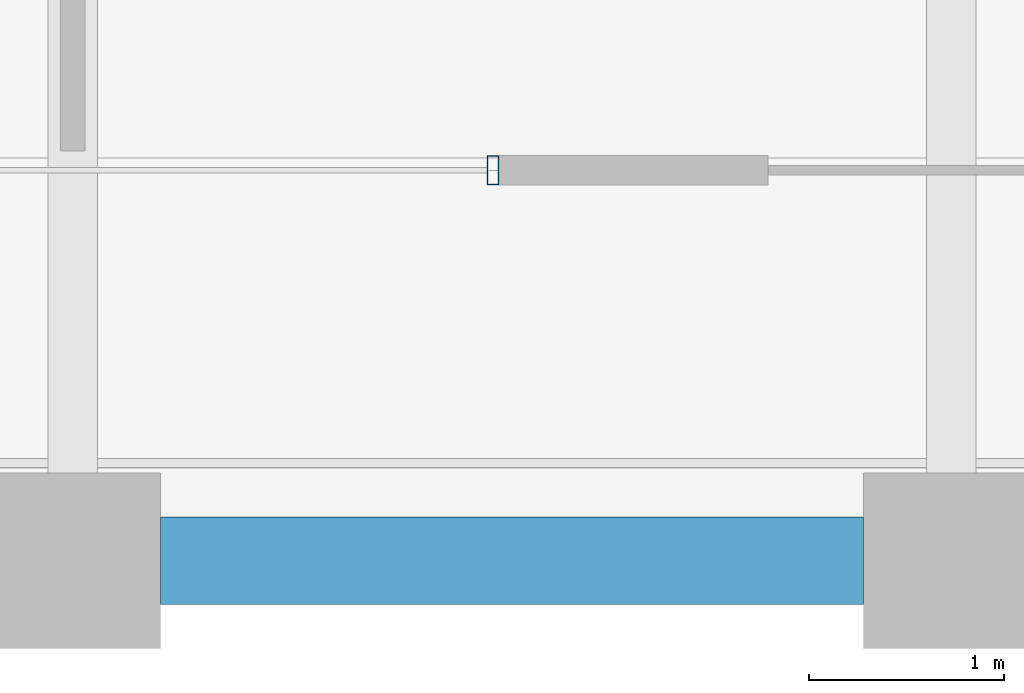
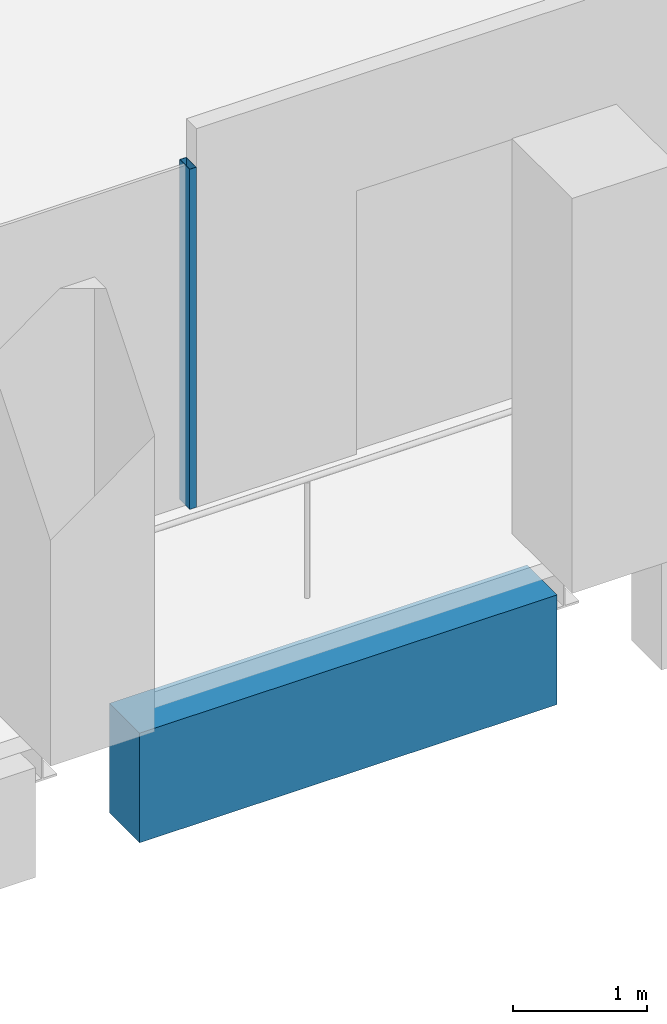
# One storey, part 7 of 40: 1 beam, 1 member, 1 element without a shape of its own.
"""IFC4 building model written with IfcOpenShell, lengths in metres."""

from ifc_helpers import new_model, si_unit, direction, frame, origin, origin_2d, place, context, subcontext, project, spatial, rectangle, hollow_rectangle, extrude, material, material_profile, profile_set, type_object, element, aggregate, save


model = new_model("IFC4")

# Units and contexts
model_context = context("Model", 3, precision=1e-05, world=origin(), true_north=direction((0.0, 1.0)))
body_context = subcontext(model_context, "Body", "Model", "MODEL_VIEW")
ifc_project = project(units=[si_unit("LENGTHUNIT", "METRE"), si_unit("AREAUNIT", "SQUARE_METRE"), si_unit("VOLUMEUNIT", "CUBIC_METRE"), si_unit("PLANEANGLEUNIT", "RADIAN"), si_unit("MASSUNIT", "GRAM", prefix="KILO")], contexts=[model_context])

# Site, building, storey
site_placement = place(None, origin())
site = spatial("IfcSite", under=ifc_project, at=site_placement, CompositionType="ELEMENT")
building_placement = place(site_placement, origin())
building = spatial("IfcBuilding", under=site, at=building_placement, Name="Altepetl Exchange Towers", CompositionType="ELEMENT")
storey_placement = place(building_placement, frame((0.0, 0.0, 165.39990234375)))
storey = spatial("IfcBuildingStorey", under=building, at=storey_placement, Name="L41", CompositionType="ELEMENT", Elevation=165.39990234375)

# Curtain wall, member
ifc_material_1 = material(Name="Aluminium 6063-T6 glazing", Category="aluminium")
curtain_wall_type = type_object("IfcCurtainWallType", Name="Loggia glazing system", PredefinedType="NOTDEFINED", material=ifc_material_1)
curtain_wall_placement = place(storey_placement, origin())
curtain_wall = element("IfcCurtainWall", 1, at=curtain_wall_placement, inside=storey, type_object=curtain_wall_type, Name="CW1 run", PredefinedType="NOTDEFINED")
ifc_material_2 = material(Name="Aluminium 6063-T6", Category="aluminium")
ifc_material_profile_1 = material_profile(ifc_material_2, hollow_rectangle(XDim=0.06005859375, YDim=0.14990234375, WallThickness=0.0029296875, at=origin_2d()), Name="Mullion 60x150 aluminium")
ifc_profile_set_1 = profile_set([ifc_material_profile_1], Name="Aluminium 6063-T6")
member_type = type_object("IfcMemberType", Name="Mullion 60x150 aluminium", PredefinedType="MULLION", material=ifc_profile_set_1)
member_placement = place(storey_placement, frame((47.152099609375, 29.0, 0.0)))
member = element("IfcMember", 2, at=member_placement, type_object=member_type, Name="MU1 mullion", PredefinedType="MULLION", context=body_context, shape_type="SweptSolid", body=[
    extrude(hollow_rectangle(XDim=0.06005859375, YDim=0.14990234375, WallThickness=0.0029296875, at=origin_2d()), origin(), (0.0, 0.0, 1.0), 3.10009765625),
])
aggregate(curtain_wall, [member])

# Beam
ifc_material_3 = material(Name="Concrete C50/60 precast with cantera blanca facing", Category="concrete")
ifc_material_profile_2 = material_profile(ifc_material_3, rectangle(XDim=0.449951171875, YDim=1.0, at=origin_2d()), Name="450 x 1000")
ifc_profile_set_2 = profile_set([ifc_material_profile_2], Name="Concrete C50/60 precast with cantera blanca facing")
beam_type = type_object("IfcBeamType", Name="Spandrel beam 450x1000 cantera blanca", PredefinedType="SPANDREL", material=ifc_profile_set_2)
beam_placement = place(storey_placement, frame((45.449951171875, 27.0, -0.64990234375), z_axis=(1.0, 0.0, 0.0), x_axis=(0.0, 1.0, 0.0)))
element("IfcBeam", 3, at=beam_placement, inside=storey, type_object=beam_type, Name="sp:A:L41:003", PredefinedType="SPANDREL", context=body_context, shape_type="SweptSolid", body=[
    extrude(rectangle(XDim=0.449951171875, YDim=1.0, at=origin_2d()), origin(), (0.0, 0.0, 1.0), 3.60009765625),
])

save(model, "model.ifc")
